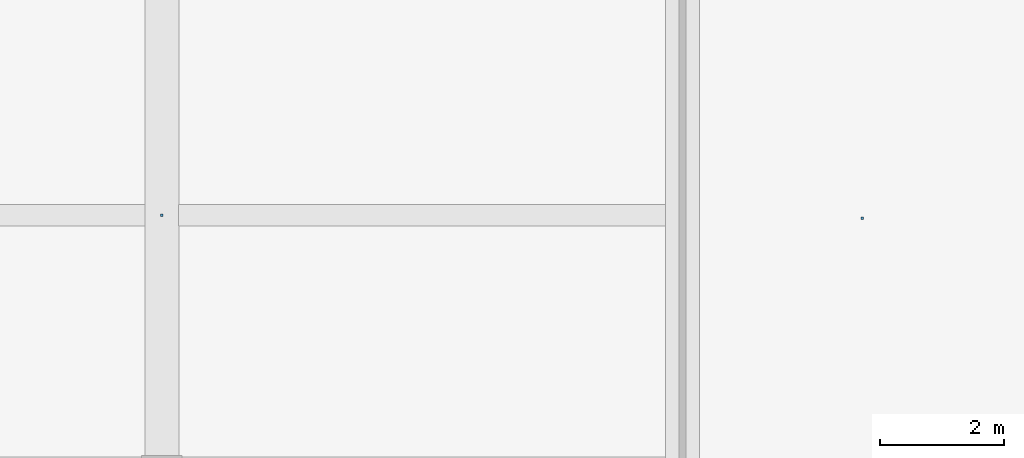
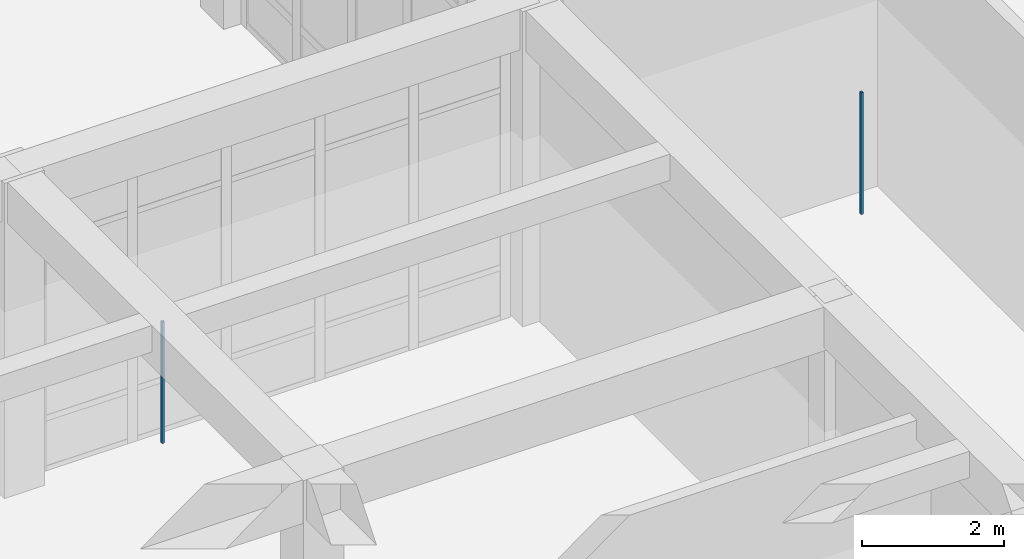
# One storey, part 90 of 167: 2 discrete accessories.
"""IFC4 building model written with IfcOpenShell, lengths in metres."""

from ifc_helpers import new_model, si_unit, direction, frame, origin, origin_2d, place, context, subcontext, project, spatial, rectangle, extrude, material, type_object, element, save


model = new_model("IFC4")

# Units and contexts
model_context = context("Model", 3, precision=1e-05, world=origin(), true_north=direction((0.0, 1.0)))
body_context = subcontext(model_context, "Body", "Model", "MODEL_VIEW")
ifc_project = project(units=[si_unit("LENGTHUNIT", "METRE"), si_unit("AREAUNIT", "SQUARE_METRE"), si_unit("VOLUMEUNIT", "CUBIC_METRE"), si_unit("PLANEANGLEUNIT", "RADIAN"), si_unit("MASSUNIT", "GRAM", prefix="KILO")], contexts=[model_context])

# Site, building, storey
site_placement = place(None, origin())
site = spatial("IfcSite", under=ifc_project, at=site_placement, CompositionType="ELEMENT")
building_placement = place(site_placement, origin())
building = spatial("IfcBuilding", under=site, at=building_placement, Name="Varncliffe General Hospital", CompositionType="ELEMENT")
storey_placement = place(building_placement, origin())
storey = spatial("IfcBuildingStorey", under=building, at=storey_placement, Name="L00", CompositionType="ELEMENT", Elevation=0.0)

# Discrete accessories
ifc_material = material(Name="Powder-coated hospital steel guardrail and handrail", Category="steel")
discrete_accessory_type = type_object("IfcDiscreteAccessoryType", Name="Suspended Ceiling Hanger Bracket CH01", PredefinedType="BRACKET", material=ifc_material)
for number, where, z_axis, x_axis, name in (
    (1, (61.699951171875, 36.550048828125, 3.18994140625), (0.0, 0.0, 1.0), (1.0, 0.0, 0.0), "L00 Suspended Ceiling Hanger 15"),
    (2, (50.39990234375, 36.60009765625, 3.18994140625), (0.0, 0.0, 1.0), (1.0, 0.0, 0.0), "L00 Suspended Ceiling Hanger 25"),
):
    element("IfcDiscreteAccessory", number, at=place(storey_placement, frame(where, z_axis=z_axis, x_axis=x_axis)), inside=storey, type_object=discrete_accessory_type, Name=name, PredefinedType="BRACKET", context=body_context, shape_type="SweptSolid", body=[
        extrude(rectangle(XDim=0.0400390625, YDim=0.0400390625, at=origin_2d()), origin(), (0.0, 0.0, 1.0), 2.090087890625),
    ])

save(model, "model.ifc")
